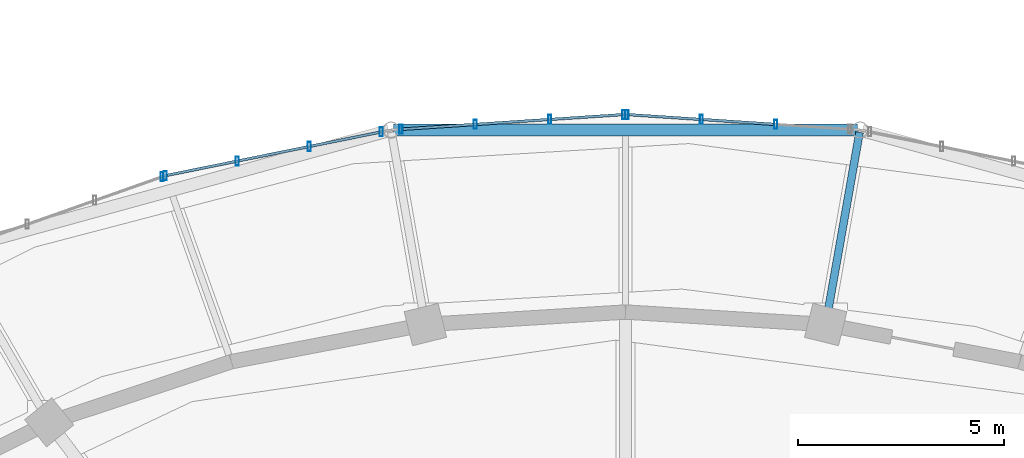
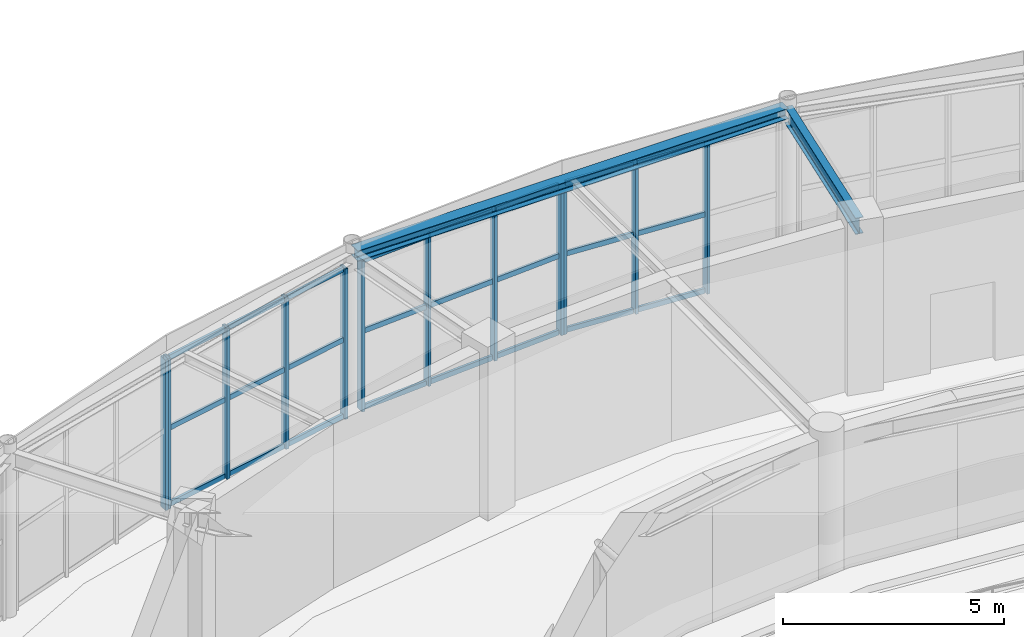
# One storey, part 50 of 100: 36 members, 2 beams, 4 elements without a shape of their own.
"""IFC4 building model written with IfcOpenShell, lengths in metres."""

from ifc_helpers import new_model, si_unit, direction, frame, origin, origin_2d, place, context, subcontext, project, spatial, hollow_rectangle, i_section, extrude, material, material_profile, profile_set, type_object, element, aggregate, save


model = new_model("IFC4")

# Units and contexts
model_context = context("Model", 3, precision=1e-05, world=origin(), true_north=direction((0.0, 1.0)))
body_context = subcontext(model_context, "Body", "Model", "MODEL_VIEW")
ifc_project = project(units=[si_unit("LENGTHUNIT", "METRE"), si_unit("AREAUNIT", "SQUARE_METRE"), si_unit("VOLUMEUNIT", "CUBIC_METRE"), si_unit("PLANEANGLEUNIT", "RADIAN"), si_unit("MASSUNIT", "GRAM", prefix="KILO")], contexts=[model_context])

# Site, building, storey
site_placement = place(None, origin())
site = spatial("IfcSite", under=ifc_project, at=site_placement, CompositionType="ELEMENT")
building_placement = place(site_placement, origin())
building = spatial("IfcBuilding", under=site, at=building_placement, Name="Tarnveldt Headland Concert Hall", CompositionType="ELEMENT")
storey_placement = place(building_placement, frame((0.0, 0.0, 4.800048828125)))
storey = spatial("IfcBuildingStorey", under=building, at=storey_placement, Name="L01", CompositionType="ELEMENT", Elevation=4.800048828125)

# Curtain wall, members
ifc_material_1 = material(Name="Marine-anodised aluminium EN AW-6063-T6", Category="aluminium")
curtain_wall_type = type_object("IfcCurtainWallType", Name="CW-F2", PredefinedType="NOTDEFINED", material=ifc_material_1)
curtain_wall_1_placement = place(storey_placement, origin())
curtain_wall_1 = element("IfcCurtainWall", 1, at=curtain_wall_1_placement, inside=storey, type_object=curtain_wall_type, Name="Curtain wall CW-L01-035", PredefinedType="NOTDEFINED")
ifc_material_profile_1 = material_profile(ifc_material_1, hollow_rectangle(XDim=0.074951171875, YDim=0.219970703125, WallThickness=0.0048828125, at=origin_2d()), Name="ALU MULLION 75x220x5", Category="aluminium")
ifc_profile_set_1 = profile_set([ifc_material_profile_1], Name="Marine-anodised aluminium EN AW-6063-T6")
member_type_1 = type_object("IfcMemberType", Name="ML-200", PredefinedType="MULLION", material=ifc_profile_set_1)
member_1_placement = place(storey_placement, frame((87.148681640625, 79.05859375, 0.0), z_axis=(0.0, 0.0, 1.0), x_axis=(1.0, 0.0, 0.0)))
member_1 = element("IfcMember", 2, at=member_1_placement, type_object=member_type_1, Name="Mullion CW-L01-035-2", PredefinedType="MULLION", context=body_context, shape_type="SweptSolid", body=[
    extrude(hollow_rectangle(XDim=0.074951171875, YDim=0.219970703125, WallThickness=0.0048828125, at=origin_2d()), origin(), (0.0, 0.0, 1.0), 4.159912109375),
])
member_2_placement = place(storey_placement, frame((85.34423828125, 79.177978515625, 0.0), z_axis=(0.0, 0.0, 1.0), x_axis=(1.0, 0.0, 0.0)))
member_2 = element("IfcMember", 3, at=member_2_placement, type_object=member_type_1, Name="Mullion CW-L01-035-3", PredefinedType="MULLION", context=body_context, shape_type="SweptSolid", body=[
    extrude(hollow_rectangle(XDim=0.074951171875, YDim=0.219970703125, WallThickness=0.0048828125, at=origin_2d()), origin(), (0.0, 0.0, 1.0), 4.159912109375),
])
member_3_placement = place(storey_placement, frame((83.539794921875, 79.29736328125, 0.0), z_axis=(0.0, 0.0, 1.0), x_axis=(1.0, 0.0, 0.0)))
member_3 = element("IfcMember", 4, at=member_3_placement, type_object=member_type_1, Name="Mullion CW-L01-035-4", PredefinedType="MULLION", context=body_context, shape_type="SweptSolid", body=[
    extrude(hollow_rectangle(XDim=0.074951171875, YDim=0.219970703125, WallThickness=0.0048828125, at=origin_2d()), origin(), (0.0, 0.0, 1.0), 4.159912109375),
])

curtain_wall_2_placement = place(storey_placement, origin())
curtain_wall_2 = element("IfcCurtainWall", 5, at=curtain_wall_2_placement, inside=storey, type_object=curtain_wall_type, Name="Curtain wall CW-L01-036", PredefinedType="NOTDEFINED")
member_4_placement = place(storey_placement, frame((83.460205078125, 79.29736328125, 0.0), z_axis=(0.0, 0.0, 1.0), x_axis=(1.0, 0.0, 0.0)))
member_4 = element("IfcMember", 6, at=member_4_placement, type_object=member_type_1, Name="Mullion CW-L01-036-1", PredefinedType="MULLION", context=body_context, shape_type="SweptSolid", body=[
    extrude(hollow_rectangle(XDim=0.074951171875, YDim=0.219970703125, WallThickness=0.0048828125, at=origin_2d()), origin(), (0.0, 0.0, 1.0), 4.159912109375),
])
member_5_placement = place(storey_placement, frame((81.65576171875, 79.177978515625, 0.0), z_axis=(0.0, 0.0, 1.0), x_axis=(1.0, 0.0, 0.0)))
member_5 = element("IfcMember", 7, at=member_5_placement, type_object=member_type_1, Name="Mullion CW-L01-036-2", PredefinedType="MULLION", context=body_context, shape_type="SweptSolid", body=[
    extrude(hollow_rectangle(XDim=0.074951171875, YDim=0.219970703125, WallThickness=0.0048828125, at=origin_2d()), origin(), (0.0, 0.0, 1.0), 4.159912109375),
])
member_6_placement = place(storey_placement, frame((79.851318359375, 79.05859375, 0.0), z_axis=(0.0, 0.0, 1.0), x_axis=(1.0, 0.0, 0.0)))
member_6 = element("IfcMember", 8, at=member_6_placement, type_object=member_type_1, Name="Mullion CW-L01-036-3", PredefinedType="MULLION", context=body_context, shape_type="SweptSolid", body=[
    extrude(hollow_rectangle(XDim=0.074951171875, YDim=0.219970703125, WallThickness=0.0048828125, at=origin_2d()), origin(), (0.0, 0.0, 1.0), 4.159912109375),
])
member_7_placement = place(storey_placement, frame((78.047119140625, 78.939208984375, 0.0), z_axis=(0.0, 0.0, 1.0), x_axis=(1.0, 0.0, 0.0)))
member_7 = element("IfcMember", 9, at=member_7_placement, type_object=member_type_1, Name="Mullion CW-L01-036-4", PredefinedType="MULLION", context=body_context, shape_type="SweptSolid", body=[
    extrude(hollow_rectangle(XDim=0.074951171875, YDim=0.219970703125, WallThickness=0.0048828125, at=origin_2d()), origin(), (0.0, 0.0, 1.0), 4.159912109375),
])

curtain_wall_3_placement = place(storey_placement, origin())
curtain_wall_3 = element("IfcCurtainWall", 10, at=curtain_wall_3_placement, inside=storey, type_object=curtain_wall_type, Name="Curtain wall CW-L01-037", PredefinedType="NOTDEFINED")
member_8_placement = place(storey_placement, frame((77.56591796875, 78.875, 0.0), z_axis=(0.0, 0.0, 1.0), x_axis=(1.0, 0.0, 0.0)))
member_8 = element("IfcMember", 11, at=member_8_placement, type_object=member_type_1, Name="Mullion CW-L01-037-1", PredefinedType="MULLION", context=body_context, shape_type="SweptSolid", body=[
    extrude(hollow_rectangle(XDim=0.074951171875, YDim=0.219970703125, WallThickness=0.0048828125, at=origin_2d()), origin(), (0.0, 0.0, 1.0), 4.159912109375),
])
member_9_placement = place(storey_placement, frame((75.817626953125, 78.520751953125, 0.0), z_axis=(0.0, 0.0, 1.0), x_axis=(1.0, 0.0, 0.0)))
member_9 = element("IfcMember", 12, at=member_9_placement, type_object=member_type_1, Name="Mullion CW-L01-037-2", PredefinedType="MULLION", context=body_context, shape_type="SweptSolid", body=[
    extrude(hollow_rectangle(XDim=0.074951171875, YDim=0.219970703125, WallThickness=0.0048828125, at=origin_2d()), origin(), (0.0, 0.0, 1.0), 4.159912109375),
])
member_10_placement = place(storey_placement, frame((74.069091796875, 78.16650390625, 0.0), z_axis=(0.0, 0.0, 1.0), x_axis=(1.0, 0.0, 0.0)))
member_10 = element("IfcMember", 13, at=member_10_placement, type_object=member_type_1, Name="Mullion CW-L01-037-3", PredefinedType="MULLION", context=body_context, shape_type="SweptSolid", body=[
    extrude(hollow_rectangle(XDim=0.074951171875, YDim=0.219970703125, WallThickness=0.0048828125, at=origin_2d()), origin(), (0.0, 0.0, 1.0), 4.159912109375),
])
member_11_placement = place(storey_placement, frame((72.32080078125, 77.812255859375, 0.0), z_axis=(0.0, 0.0, 1.0), x_axis=(1.0, 0.0, 0.0)))
member_11 = element("IfcMember", 14, at=member_11_placement, type_object=member_type_1, Name="Mullion CW-L01-037-4", PredefinedType="MULLION", context=body_context, shape_type="SweptSolid", body=[
    extrude(hollow_rectangle(XDim=0.074951171875, YDim=0.219970703125, WallThickness=0.0048828125, at=origin_2d()), origin(), (0.0, 0.0, 1.0), 4.159912109375),
])

# Curtain wall, member
curtain_wall_4_placement = place(storey_placement, origin())
curtain_wall_4 = element("IfcCurtainWall", 15, at=curtain_wall_4_placement, inside=storey, type_object=curtain_wall_type, Name="Curtain wall CW-L01-038", PredefinedType="NOTDEFINED")
member_12_placement = place(storey_placement, frame((72.243896484375, 77.791015625, 0.0), z_axis=(0.0, 0.0, 1.0), x_axis=(1.0, 0.0, 0.0)))
member_12 = element("IfcMember", 16, at=member_12_placement, type_object=member_type_1, Name="Mullion CW-L01-038-1", PredefinedType="MULLION", context=body_context, shape_type="SweptSolid", body=[
    extrude(hollow_rectangle(XDim=0.074951171875, YDim=0.219970703125, WallThickness=0.0048828125, at=origin_2d()), origin(), (0.0, 0.0, 1.0), 4.159912109375),
])
aggregate(curtain_wall_4, [member_12])

# Beams
ifc_material_2 = material(Name="Steel S355", Category="steel")
ifc_material_profile_2 = material_profile(ifc_material_2, i_section(OverallWidth=0.300048828125, OverallDepth=0.2900390625, WebThickness=0.008544921875, FlangeThickness=0.013916015625, FilletRadius=0.027099609375, at=origin_2d()), Name="HEA300", Category="steel")
ifc_profile_set_2 = profile_set([ifc_material_profile_2], Name="Steel S355")
beam_type_1 = type_object("IfcBeamType", Name="SB-HEA300", PredefinedType="SPANDREL", material=ifc_profile_set_2)
beam_1_placement = place(storey_placement, frame((89.1357421875, 78.923095703125, 4.39501953125), z_axis=(-1.0, 0.0, 0.0), x_axis=(0.0, -1.0, 0.0)))
element("IfcBeam", 17, at=beam_1_placement, inside=storey, type_object=beam_type_1, Name="Framing beam L01-690", PredefinedType="SPANDREL", context=body_context, shape_type="SweptSolid", body=[
    extrude(i_section(OverallWidth=0.300048828125, OverallDepth=0.2900390625, WebThickness=0.008544921875, FlangeThickness=0.013916015625, FilletRadius=0.027099609375, at=origin_2d()), origin(), (0.0, 0.0, 1.0), 11.271484375),
])
ifc_material_profile_3 = material_profile(ifc_material_2, i_section(OverallWidth=0.18994140625, OverallDepth=0.449951171875, WebThickness=0.009521484375, FlangeThickness=0.0146484375, FilletRadius=0.02099609375, at=origin_2d()), Name="IPE450", Category="steel")
ifc_profile_set_3 = profile_set([ifc_material_profile_3], Name="Steel S355")
beam_type_2 = type_object("IfcBeamType", Name="SB-IPE450", PredefinedType="BEAM", material=ifc_profile_set_3)
beam_2_placement = place(storey_placement, frame((88.368896484375, 74.235595703125, 4.31494140625), z_axis=(0.173708285572, 0.984797152475, 0.0), x_axis=(-0.984797152475, 0.173708285572, 0.0)))
element("IfcBeam", 18, at=beam_2_placement, inside=storey, type_object=beam_type_2, Name="Framing beam L01-691", PredefinedType="BEAM", context=body_context, shape_type="SweptSolid", body=[
    extrude(i_section(OverallWidth=0.18994140625, OverallDepth=0.449951171875, WebThickness=0.009521484375, FlangeThickness=0.0146484375, FilletRadius=0.02099609375, at=origin_2d()), origin(), (0.0, 0.0, 1.0), 4.699951171875),
])

# Member
ifc_material_profile_4 = material_profile(ifc_material_1, hollow_rectangle(XDim=0.06494140625, YDim=0.139892578125, WallThickness=0.00390625, at=origin_2d()), Name="ALU TRANSOM 65x140x4", Category="aluminium")
ifc_profile_set_4 = profile_set([ifc_material_profile_4], Name="Marine-anodised aluminium EN AW-6063-T6")
member_type_2 = type_object("IfcMemberType", Name="TR-140", PredefinedType="MEMBER", material=ifc_profile_set_4)
member_13_placement = place(storey_placement, frame((87.09912109375, 79.06201171875, 0.050048828125), z_axis=(-0.997819786405, 0.06599752918, 0.0), x_axis=(-0.06599752918, -0.997819786405, 0.0)))
member_13 = element("IfcMember", 19, at=member_13_placement, type_object=member_type_2, Name="Transom CW-L01-035-2-1", PredefinedType="MEMBER", context=body_context, shape_type="SweptSolid", body=[
    extrude(hollow_rectangle(XDim=0.06494140625, YDim=0.139892578125, WallThickness=0.00390625, at=origin_2d()), origin(), (0.0, 0.0, 1.0), 1.708984375),
])

member_14_placement = place(storey_placement, frame((87.09912109375, 79.06201171875, 2.1630859375), z_axis=(-0.997819786405, 0.06599752918, 0.0), x_axis=(-0.06599752918, -0.997819786405, 0.0)))
member_14 = element("IfcMember", 20, at=member_14_placement, type_object=member_type_2, Name="Transom CW-L01-035-2-2", PredefinedType="MEMBER", context=body_context, shape_type="SweptSolid", body=[
    extrude(hollow_rectangle(XDim=0.06494140625, YDim=0.139892578125, WallThickness=0.00390625, at=origin_2d()), origin(), (0.0, 0.0, 1.0), 1.708984375),
])

member_15_placement = place(storey_placement, frame((87.09912109375, 79.06201171875, 4.10986328125), z_axis=(-0.997819786405, 0.06599752918, 0.0), x_axis=(-0.06599752918, -0.997819786405, 0.0)))
member_15 = element("IfcMember", 21, at=member_15_placement, type_object=member_type_2, Name="Transom CW-L01-035-2-3", PredefinedType="MEMBER", context=body_context, shape_type="SweptSolid", body=[
    extrude(hollow_rectangle(XDim=0.06494140625, YDim=0.139892578125, WallThickness=0.00390625, at=origin_2d()), origin(), (0.0, 0.0, 1.0), 1.708984375),
])

member_16_placement = place(storey_placement, frame((85.294921875, 79.181396484375, 0.050048828125), z_axis=(-0.997820408488, 0.065988123207, 0.0), x_axis=(-0.065988123207, -0.997820408488, 0.0)))
member_16 = element("IfcMember", 22, at=member_16_placement, type_object=member_type_2, Name="Transom CW-L01-035-3-1", PredefinedType="MEMBER", context=body_context, shape_type="SweptSolid", body=[
    extrude(hollow_rectangle(XDim=0.06494140625, YDim=0.139892578125, WallThickness=0.00390625, at=origin_2d()), origin(), (0.0, 0.0, 1.0), 1.709228515625),
])

member_17_placement = place(storey_placement, frame((85.294921875, 79.181396484375, 2.1630859375), z_axis=(-0.997820408488, 0.065988123207, 0.0), x_axis=(-0.065988123207, -0.997820408488, 0.0)))
member_17 = element("IfcMember", 23, at=member_17_placement, type_object=member_type_2, Name="Transom CW-L01-035-3-2", PredefinedType="MEMBER", context=body_context, shape_type="SweptSolid", body=[
    extrude(hollow_rectangle(XDim=0.06494140625, YDim=0.139892578125, WallThickness=0.00390625, at=origin_2d()), origin(), (0.0, 0.0, 1.0), 1.709228515625),
])

member_18_placement = place(storey_placement, frame((85.294921875, 79.181396484375, 4.10986328125), z_axis=(-0.997820408488, 0.065988123207, 0.0), x_axis=(-0.065988123207, -0.997820408488, 0.0)))
member_18 = element("IfcMember", 24, at=member_18_placement, type_object=member_type_2, Name="Transom CW-L01-035-3-3", PredefinedType="MEMBER", context=body_context, shape_type="SweptSolid", body=[
    extrude(hollow_rectangle(XDim=0.06494140625, YDim=0.139892578125, WallThickness=0.00390625, at=origin_2d()), origin(), (0.0, 0.0, 1.0), 1.709228515625),
])

aggregate(curtain_wall_1, [member_1, member_2, member_3, member_13, member_14, member_15, member_16, member_17, member_18])

member_19_placement = place(storey_placement, frame((83.41064453125, 79.294189453125, 0.050048828125), z_axis=(-0.997820408488, -0.065988123207, 0.0), x_axis=(0.065988123207, -0.997820408488, 0.0)))
member_19 = element("IfcMember", 25, at=member_19_placement, type_object=member_type_2, Name="Transom CW-L01-036-1-1", PredefinedType="MEMBER", context=body_context, shape_type="SweptSolid", body=[
    extrude(hollow_rectangle(XDim=0.06494140625, YDim=0.139892578125, WallThickness=0.00390625, at=origin_2d()), origin(), (0.0, 0.0, 1.0), 1.709228515625),
])

member_20_placement = place(storey_placement, frame((83.41064453125, 79.294189453125, 2.1630859375), z_axis=(-0.997820408488, -0.065988123207, 0.0), x_axis=(0.065988123207, -0.997820408488, 0.0)))
member_20 = element("IfcMember", 26, at=member_20_placement, type_object=member_type_2, Name="Transom CW-L01-036-1-2", PredefinedType="MEMBER", context=body_context, shape_type="SweptSolid", body=[
    extrude(hollow_rectangle(XDim=0.06494140625, YDim=0.139892578125, WallThickness=0.00390625, at=origin_2d()), origin(), (0.0, 0.0, 1.0), 1.709228515625),
])

member_21_placement = place(storey_placement, frame((83.41064453125, 79.294189453125, 4.10986328125), z_axis=(-0.997820408488, -0.065988123207, 0.0), x_axis=(0.065988123207, -0.997820408488, 0.0)))
member_21 = element("IfcMember", 27, at=member_21_placement, type_object=member_type_2, Name="Transom CW-L01-036-1-3", PredefinedType="MEMBER", context=body_context, shape_type="SweptSolid", body=[
    extrude(hollow_rectangle(XDim=0.06494140625, YDim=0.139892578125, WallThickness=0.00390625, at=origin_2d()), origin(), (0.0, 0.0, 1.0), 1.709228515625),
])

member_22_placement = place(storey_placement, frame((81.606201171875, 79.1748046875, 0.050048828125), z_axis=(-0.997819786405, -0.06599752918, 0.0), x_axis=(0.06599752918, -0.997819786405, 0.0)))
member_22 = element("IfcMember", 28, at=member_22_placement, type_object=member_type_2, Name="Transom CW-L01-036-2-1", PredefinedType="MEMBER", context=body_context, shape_type="SweptSolid", body=[
    extrude(hollow_rectangle(XDim=0.06494140625, YDim=0.139892578125, WallThickness=0.00390625, at=origin_2d()), origin(), (0.0, 0.0, 1.0), 1.708984375),
])

member_23_placement = place(storey_placement, frame((81.606201171875, 79.1748046875, 2.1630859375), z_axis=(-0.997819786405, -0.06599752918, 0.0), x_axis=(0.06599752918, -0.997819786405, 0.0)))
member_23 = element("IfcMember", 29, at=member_23_placement, type_object=member_type_2, Name="Transom CW-L01-036-2-2", PredefinedType="MEMBER", context=body_context, shape_type="SweptSolid", body=[
    extrude(hollow_rectangle(XDim=0.06494140625, YDim=0.139892578125, WallThickness=0.00390625, at=origin_2d()), origin(), (0.0, 0.0, 1.0), 1.708984375),
])

member_24_placement = place(storey_placement, frame((81.606201171875, 79.1748046875, 4.10986328125), z_axis=(-0.997819786405, -0.06599752918, 0.0), x_axis=(0.06599752918, -0.997819786405, 0.0)))
member_24 = element("IfcMember", 30, at=member_24_placement, type_object=member_type_2, Name="Transom CW-L01-036-2-3", PredefinedType="MEMBER", context=body_context, shape_type="SweptSolid", body=[
    extrude(hollow_rectangle(XDim=0.06494140625, YDim=0.139892578125, WallThickness=0.00390625, at=origin_2d()), origin(), (0.0, 0.0, 1.0), 1.708984375),
])

member_25_placement = place(storey_placement, frame((79.802001953125, 79.055419921875, 0.050048828125), z_axis=(-0.997820408488, -0.065988123207, 0.0), x_axis=(0.065988123207, -0.997820408488, 0.0)))
member_25 = element("IfcMember", 31, at=member_25_placement, type_object=member_type_2, Name="Transom CW-L01-036-3-1", PredefinedType="MEMBER", context=body_context, shape_type="SweptSolid", body=[
    extrude(hollow_rectangle(XDim=0.06494140625, YDim=0.139892578125, WallThickness=0.00390625, at=origin_2d()), origin(), (0.0, 0.0, 1.0), 1.709228515625),
])

member_26_placement = place(storey_placement, frame((79.802001953125, 79.055419921875, 2.1630859375), z_axis=(-0.997820408488, -0.065988123207, 0.0), x_axis=(0.065988123207, -0.997820408488, 0.0)))
member_26 = element("IfcMember", 32, at=member_26_placement, type_object=member_type_2, Name="Transom CW-L01-036-3-2", PredefinedType="MEMBER", context=body_context, shape_type="SweptSolid", body=[
    extrude(hollow_rectangle(XDim=0.06494140625, YDim=0.139892578125, WallThickness=0.00390625, at=origin_2d()), origin(), (0.0, 0.0, 1.0), 1.709228515625),
])

member_27_placement = place(storey_placement, frame((79.802001953125, 79.055419921875, 4.10986328125), z_axis=(-0.997820408488, -0.065988123207, 0.0), x_axis=(0.065988123207, -0.997820408488, 0.0)))
member_27 = element("IfcMember", 33, at=member_27_placement, type_object=member_type_2, Name="Transom CW-L01-036-3-3", PredefinedType="MEMBER", context=body_context, shape_type="SweptSolid", body=[
    extrude(hollow_rectangle(XDim=0.06494140625, YDim=0.139892578125, WallThickness=0.00390625, at=origin_2d()), origin(), (0.0, 0.0, 1.0), 1.709228515625),
])

aggregate(curtain_wall_2, [member_4, member_5, member_6, member_7, member_19, member_20, member_21, member_22, member_23, member_24, member_25, member_26, member_27])

member_28_placement = place(storey_placement, frame((77.517333984375, 78.864990234375, 0.050048828125), z_axis=(-0.980092754065, -0.19854015571, 0.0), x_axis=(0.19854015571, -0.980092754065, 0.0)))
member_28 = element("IfcMember", 34, at=member_28_placement, type_object=member_type_2, Name="Transom CW-L01-037-1-1", PredefinedType="MEMBER", context=body_context, shape_type="SweptSolid", body=[
    extrude(hollow_rectangle(XDim=0.06494140625, YDim=0.139892578125, WallThickness=0.00390625, at=origin_2d()), origin(), (0.0, 0.0, 1.0), 1.6845703125),
])

member_29_placement = place(storey_placement, frame((77.517333984375, 78.864990234375, 2.1630859375), z_axis=(-0.980092754065, -0.19854015571, 0.0), x_axis=(0.19854015571, -0.980092754065, 0.0)))
member_29 = element("IfcMember", 35, at=member_29_placement, type_object=member_type_2, Name="Transom CW-L01-037-1-2", PredefinedType="MEMBER", context=body_context, shape_type="SweptSolid", body=[
    extrude(hollow_rectangle(XDim=0.06494140625, YDim=0.139892578125, WallThickness=0.00390625, at=origin_2d()), origin(), (0.0, 0.0, 1.0), 1.6845703125),
])

member_30_placement = place(storey_placement, frame((77.517333984375, 78.864990234375, 4.10986328125), z_axis=(-0.980092754065, -0.19854015571, 0.0), x_axis=(0.19854015571, -0.980092754065, 0.0)))
member_30 = element("IfcMember", 36, at=member_30_placement, type_object=member_type_2, Name="Transom CW-L01-037-1-3", PredefinedType="MEMBER", context=body_context, shape_type="SweptSolid", body=[
    extrude(hollow_rectangle(XDim=0.06494140625, YDim=0.139892578125, WallThickness=0.00390625, at=origin_2d()), origin(), (0.0, 0.0, 1.0), 1.6845703125),
])

member_31_placement = place(storey_placement, frame((75.76904296875, 78.510986328125, 0.050048828125), z_axis=(-0.980070264474, -0.198651143198, 0.0), x_axis=(0.198651143198, -0.980070264474, 0.0)))
member_31 = element("IfcMember", 37, at=member_31_placement, type_object=member_type_2, Name="Transom CW-L01-037-2-1", PredefinedType="MEMBER", context=body_context, shape_type="SweptSolid", body=[
    extrude(hollow_rectangle(XDim=0.06494140625, YDim=0.139892578125, WallThickness=0.00390625, at=origin_2d()), origin(), (0.0, 0.0, 1.0), 1.68505859375),
])

member_32_placement = place(storey_placement, frame((75.76904296875, 78.510986328125, 2.1630859375), z_axis=(-0.980070264474, -0.198651143198, 0.0), x_axis=(0.198651143198, -0.980070264474, 0.0)))
member_32 = element("IfcMember", 38, at=member_32_placement, type_object=member_type_2, Name="Transom CW-L01-037-2-2", PredefinedType="MEMBER", context=body_context, shape_type="SweptSolid", body=[
    extrude(hollow_rectangle(XDim=0.06494140625, YDim=0.139892578125, WallThickness=0.00390625, at=origin_2d()), origin(), (0.0, 0.0, 1.0), 1.68505859375),
])

member_33_placement = place(storey_placement, frame((75.76904296875, 78.510986328125, 4.10986328125), z_axis=(-0.980070264474, -0.198651143198, 0.0), x_axis=(0.198651143198, -0.980070264474, 0.0)))
member_33 = element("IfcMember", 39, at=member_33_placement, type_object=member_type_2, Name="Transom CW-L01-037-2-3", PredefinedType="MEMBER", context=body_context, shape_type="SweptSolid", body=[
    extrude(hollow_rectangle(XDim=0.06494140625, YDim=0.139892578125, WallThickness=0.00390625, at=origin_2d()), origin(), (0.0, 0.0, 1.0), 1.68505859375),
])

member_34_placement = place(storey_placement, frame((74.020751953125, 78.15673828125, 0.050048828125), z_axis=(-0.980070264474, -0.198651143198, 0.0), x_axis=(0.198651143198, -0.980070264474, 0.0)))
member_34 = element("IfcMember", 40, at=member_34_placement, type_object=member_type_2, Name="Transom CW-L01-037-3-1", PredefinedType="MEMBER", context=body_context, shape_type="SweptSolid", body=[
    extrude(hollow_rectangle(XDim=0.06494140625, YDim=0.139892578125, WallThickness=0.00390625, at=origin_2d()), origin(), (0.0, 0.0, 1.0), 1.68505859375),
])

member_35_placement = place(storey_placement, frame((74.020751953125, 78.15673828125, 2.1630859375), z_axis=(-0.980070264474, -0.198651143198, 0.0), x_axis=(0.198651143198, -0.980070264474, 0.0)))
member_35 = element("IfcMember", 41, at=member_35_placement, type_object=member_type_2, Name="Transom CW-L01-037-3-2", PredefinedType="MEMBER", context=body_context, shape_type="SweptSolid", body=[
    extrude(hollow_rectangle(XDim=0.06494140625, YDim=0.139892578125, WallThickness=0.00390625, at=origin_2d()), origin(), (0.0, 0.0, 1.0), 1.68505859375),
])

member_36_placement = place(storey_placement, frame((74.020751953125, 78.15673828125, 4.10986328125), z_axis=(-0.980070264474, -0.198651143198, 0.0), x_axis=(0.198651143198, -0.980070264474, 0.0)))
member_36 = element("IfcMember", 42, at=member_36_placement, type_object=member_type_2, Name="Transom CW-L01-037-3-3", PredefinedType="MEMBER", context=body_context, shape_type="SweptSolid", body=[
    extrude(hollow_rectangle(XDim=0.06494140625, YDim=0.139892578125, WallThickness=0.00390625, at=origin_2d()), origin(), (0.0, 0.0, 1.0), 1.68505859375),
])

aggregate(curtain_wall_3, [member_8, member_9, member_10, member_11, member_28, member_29, member_30, member_31, member_32, member_33, member_34, member_35, member_36])

save(model, "model.ifc")
